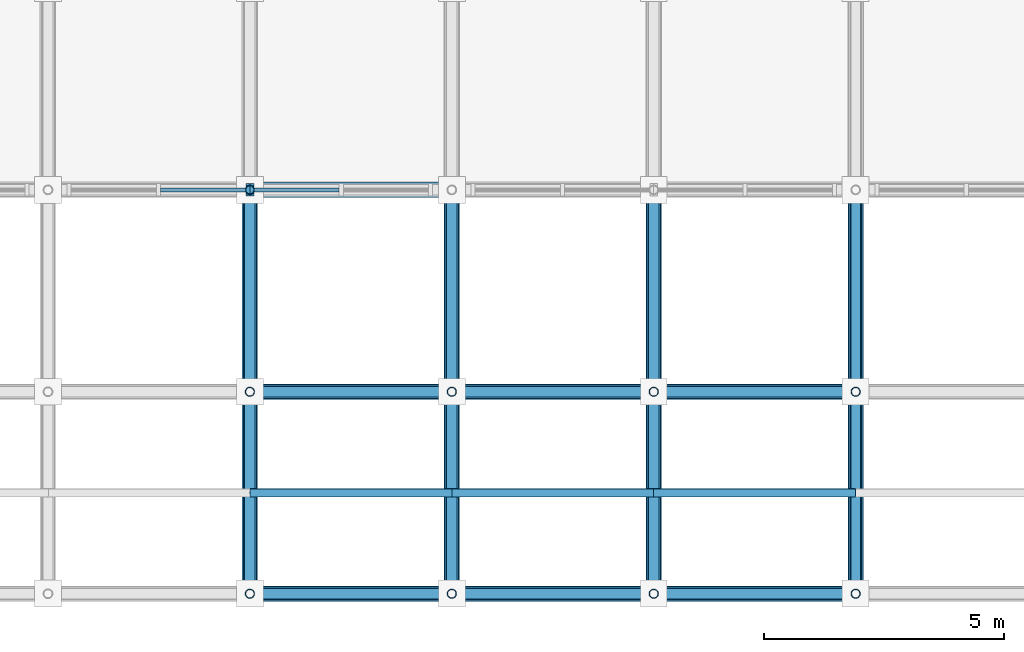
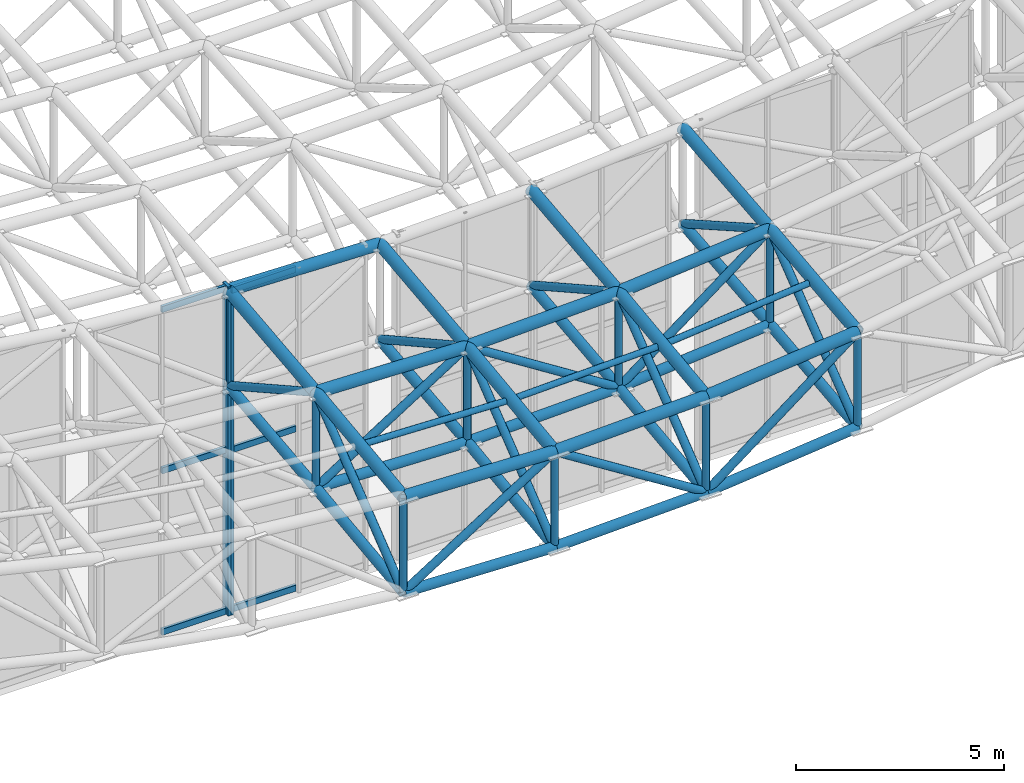
# One storey, part 13 of 93: 63 members, 2 elements without a shape of their own.
"""IFC4 building model written with IfcOpenShell, lengths in metres."""

from ifc_helpers import new_model, si_unit, direction, frame, origin, origin_2d, place, context, subcontext, project, spatial, rectangle, hollow_circle, extrude, material, material_profile, profile_set, type_object, element, aggregate, save


model = new_model("IFC4")

# Units and contexts
model_context = context("Model", 3, precision=1e-05, world=origin(), true_north=direction((0.0, 1.0)))
body_context = subcontext(model_context, "Body", "Model", "MODEL_VIEW")
ifc_project = project(units=[si_unit("LENGTHUNIT", "METRE"), si_unit("AREAUNIT", "SQUARE_METRE"), si_unit("VOLUMEUNIT", "CUBIC_METRE"), si_unit("PLANEANGLEUNIT", "RADIAN"), si_unit("MASSUNIT", "GRAM", prefix="KILO")], contexts=[model_context])

# Site, building, storey
site_placement = place(None, origin())
site = spatial("IfcSite", under=ifc_project, at=site_placement, CompositionType="ELEMENT")
building_placement = place(site_placement, origin())
building = spatial("IfcBuilding", under=site, at=building_placement, Name="Cumbredor Promenade Congress Hotel", CompositionType="ELEMENT")
storey_placement = place(building_placement, frame((0.0, 0.0, 21.840087890625)))
storey = spatial("IfcBuildingStorey", under=building, at=storey_placement, Name="L06", CompositionType="ELEMENT", Elevation=21.840087890625)

# Curtain wall, member
ifc_material_1 = material(Name="Thermally broken anodized aluminium and low-E glass", Category="aluminium")
curtain_wall_type = type_object("IfcCurtainWallType", Name="Stepped Pavilion Clerestory Curtain Wall CW-06", PredefinedType="NOTDEFINED", material=ifc_material_1)
curtain_wall_1_placement = place(storey_placement, origin())
curtain_wall_1 = element("IfcCurtainWall", 1, at=curtain_wall_1_placement, inside=storey, type_object=curtain_wall_type, Name="Plenary Congress Hall S Glazed Clerestory 5", PredefinedType="NOTDEFINED")
ifc_material_2 = material(Name="Thermally broken anodized aluminium", Category="aluminium")
ifc_material_profile_1 = material_profile(ifc_material_2, rectangle(XDim=0.0849609375, YDim=0.260009765625, at=origin_2d()), Name="ALU MULLION CLERESTORY 85x260")
ifc_profile_set_1 = profile_set([ifc_material_profile_1], Name="Thermally broken anodized aluminium")
member_type_1 = type_object("IfcMemberType", Name="Curtain Wall Mullion ML-04", PredefinedType="MULLION", material=ifc_profile_set_1)
member_1_placement = place(storey_placement, frame((29.360107421875, 8.39990234375, -0.01806640625), z_axis=(0.0, 0.0, 1.0), x_axis=(1.0, 0.0, 0.0)))
member_1 = element("IfcMember", 2, at=member_1_placement, type_object=member_type_1, Name="Plenary Congress Hall S Glazed Clerestory 5 Mullion 3", PredefinedType="MULLION", context=body_context, shape_type="SweptSolid", body=[
    extrude(rectangle(XDim=0.0849609375, YDim=0.260009765625, at=origin_2d()), origin(), (0.0, 0.0, 1.0), 9.652099609375),
])

curtain_wall_2_placement = place(storey_placement, origin())
curtain_wall_2 = element("IfcCurtainWall", 3, at=curtain_wall_2_placement, inside=storey, type_object=curtain_wall_type, Name="Plenary Congress Hall S Glazed Clerestory 6", PredefinedType="NOTDEFINED")
member_2_placement = place(storey_placement, frame((29.43994140625, 8.39990234375, -0.01806640625), z_axis=(0.0, 0.0, 1.0), x_axis=(1.0, 0.0, 0.0)))
member_2 = element("IfcMember", 4, at=member_2_placement, type_object=member_type_1, Name="Plenary Congress Hall S Glazed Clerestory 6 Mullion 1", PredefinedType="MULLION", context=body_context, shape_type="SweptSolid", body=[
    extrude(rectangle(XDim=0.0849609375, YDim=0.260009765625, at=origin_2d()), origin(), (0.0, 0.0, 1.0), 9.540771484375),
])

# Member
ifc_material_profile_2 = material_profile(ifc_material_2, rectangle(XDim=0.080078125, YDim=0.179931640625, at=origin_2d()), Name="ALU TRANSOM 80x180")
ifc_profile_set_2 = profile_set([ifc_material_profile_2], Name="Thermally broken anodized aluminium")
member_type_2 = type_object("IfcMemberType", Name="Curtain Wall Transom TR-03", PredefinedType="USERDEFINED", material=ifc_profile_set_2)
member_3_placement = place(storey_placement, frame((27.54248046875, 8.39990234375, 0.079833984375), z_axis=(1.0, 0.0, 0.0), x_axis=(0.0, 1.0, 0.0)))
member_3 = element("IfcMember", 5, at=member_3_placement, type_object=member_type_2, Name="Plenary Congress Hall S Glazed Clerestory 5 Transom 2.1", ObjectType="TRANSOM", PredefinedType="USERDEFINED", context=body_context, shape_type="SweptSolid", body=[
    extrude(rectangle(XDim=0.080078125, YDim=0.179931640625, at=origin_2d()), origin(), (0.0, 0.0, 1.0), 1.77490234375),
])

member_4_placement = place(storey_placement, frame((27.54248046875, 8.39990234375, 4.809814453125), z_axis=(1.0, 0.0, 0.0), x_axis=(0.0, 1.0, 0.0)))
member_4 = element("IfcMember", 6, at=member_4_placement, type_object=member_type_2, Name="Plenary Congress Hall S Glazed Clerestory 5 Transom 2.2", ObjectType="TRANSOM", PredefinedType="USERDEFINED", context=body_context, shape_type="SweptSolid", body=[
    extrude(rectangle(XDim=0.080078125, YDim=0.179931640625, at=origin_2d()), origin(), (0.0, 0.0, 1.0), 1.77490234375),
])

member_5_placement = place(storey_placement, frame((27.54248046875, 8.39990234375, 9.539794921875), z_axis=(1.0, 0.0, 0.0), x_axis=(0.0, 1.0, 0.0)))
member_5 = element("IfcMember", 7, at=member_5_placement, type_object=member_type_2, Name="Plenary Congress Hall S Glazed Clerestory 5 Transom 2.3", ObjectType="TRANSOM", PredefinedType="USERDEFINED", context=body_context, shape_type="SweptSolid", body=[
    extrude(rectangle(XDim=0.080078125, YDim=0.179931640625, at=origin_2d()), origin(), (0.0, 0.0, 1.0), 1.77490234375),
])

aggregate(curtain_wall_1, [member_1, member_3, member_4, member_5])

member_6_placement = place(storey_placement, frame((29.482421875, 8.39990234375, 0.079833984375), z_axis=(1.0, 0.0, 0.0), x_axis=(0.0, 1.0, 0.0)))
member_6 = element("IfcMember", 8, at=member_6_placement, type_object=member_type_2, Name="Plenary Congress Hall S Glazed Clerestory 6 Transom 1.1", ObjectType="TRANSOM", PredefinedType="USERDEFINED", context=body_context, shape_type="SweptSolid", body=[
    extrude(rectangle(XDim=0.080078125, YDim=0.179931640625, at=origin_2d()), origin(), (0.0, 0.0, 1.0), 1.775146484375),
])

member_7_placement = place(storey_placement, frame((29.482421875, 8.39990234375, 4.75), z_axis=(1.0, 0.0, 0.0), x_axis=(0.0, 1.0, 0.0)))
member_7 = element("IfcMember", 9, at=member_7_placement, type_object=member_type_2, Name="Plenary Congress Hall S Glazed Clerestory 6 Transom 1.2", ObjectType="TRANSOM", PredefinedType="USERDEFINED", context=body_context, shape_type="SweptSolid", body=[
    extrude(rectangle(XDim=0.080078125, YDim=0.179931640625, at=origin_2d()), origin(), (0.0, 0.0, 1.0), 1.775146484375),
])

member_8_placement = place(storey_placement, frame((29.482421875, 8.39990234375, 9.419921875), z_axis=(1.0, 0.0, 0.0), x_axis=(0.0, 1.0, 0.0)))
member_8 = element("IfcMember", 10, at=member_8_placement, type_object=member_type_2, Name="Plenary Congress Hall S Glazed Clerestory 6 Transom 1.3", ObjectType="TRANSOM", PredefinedType="USERDEFINED", context=body_context, shape_type="SweptSolid", body=[
    extrude(rectangle(XDim=0.080078125, YDim=0.179931640625, at=origin_2d()), origin(), (0.0, 0.0, 1.0), 1.775146484375),
])

aggregate(curtain_wall_2, [member_2, member_6, member_7, member_8])

# Members
ifc_material_3 = material(Name="Steel ASTM A500 Grade C", Category="steel")
ifc_material_profile_3 = material_profile(ifc_material_3, hollow_circle(Radius=0.136474609375, WallThickness=0.01611328125, at=origin_2d()), Name="CHS 273.0x16")
ifc_profile_set_3 = profile_set([ifc_material_profile_3], Name="Steel ASTM A500 Grade C")
member_type_3 = type_object("IfcMemberType", Name="Plenary Roof Space Frame Bottom Chord", PredefinedType="CHORD", material=ifc_profile_set_3)
member_9_placement = place(storey_placement, frame((29.39990234375, 0.0, 5.679931640625), z_axis=(0.999428278482, 0.0, -0.033810001051), x_axis=(0.0, 1.0, 0.0)))
element("IfcMember", 11, at=member_9_placement, inside=storey, type_object=member_type_3, Name="Plenary Congress Hall X Bottom Chord 9.1", PredefinedType="CHORD", context=body_context, shape_type="SweptSolid", body=[
    extrude(hollow_circle(Radius=0.136474609375, WallThickness=0.01611328125, at=origin_2d()), origin(), (0.0, 0.0, 1.0), 4.20263671875),
])
member_10_placement = place(storey_placement, frame((33.60009765625, 0.0, 5.537841796875), z_axis=(0.999428212069, 0.0, 0.033811964159), x_axis=(0.0, 1.0, 0.0)))
element("IfcMember", 12, at=member_10_placement, inside=storey, type_object=member_type_3, Name="Plenary Congress Hall X Bottom Chord 10.1", PredefinedType="CHORD", context=body_context, shape_type="SweptSolid", body=[
    extrude(hollow_circle(Radius=0.136474609375, WallThickness=0.01611328125, at=origin_2d()), origin(), (0.0, 0.0, 1.0), 4.202392578125),
])
member_11_placement = place(storey_placement, frame((37.800048828125, 0.0, 5.679931640625), z_axis=(0.994854027888, 0.0, 0.101318622151), x_axis=(0.0, 1.0, 0.0)))
element("IfcMember", 13, at=member_11_placement, inside=storey, type_object=member_type_3, Name="Plenary Congress Hall X Bottom Chord 11.1", PredefinedType="CHORD", context=body_context, shape_type="SweptSolid", body=[
    extrude(hollow_circle(Radius=0.136474609375, WallThickness=0.01611328125, at=origin_2d()), origin(), (0.0, 0.0, 1.0), 4.2216796875),
])
member_12_placement = place(storey_placement, frame((29.39990234375, 4.199951171875, 6.19482421875), z_axis=(0.99955398779, 0.0, -0.029863447438), x_axis=(0.0, 1.0, 0.0)))
element("IfcMember", 14, at=member_12_placement, inside=storey, type_object=member_type_3, Name="Plenary Congress Hall X Bottom Chord 9.2", PredefinedType="CHORD", context=body_context, shape_type="SweptSolid", body=[
    extrude(hollow_circle(Radius=0.136474609375, WallThickness=0.01611328125, at=origin_2d()), origin(), (0.0, 0.0, 1.0), 4.2021484375),
])
member_13_placement = place(storey_placement, frame((33.60009765625, 4.199951171875, 6.0693359375), z_axis=(0.99955393597, 0.0, 0.029865181834), x_axis=(0.0, 1.0, 0.0)))
element("IfcMember", 15, at=member_13_placement, inside=storey, type_object=member_type_3, Name="Plenary Congress Hall X Bottom Chord 10.2", PredefinedType="CHORD", context=body_context, shape_type="SweptSolid", body=[
    extrude(hollow_circle(Radius=0.136474609375, WallThickness=0.01611328125, at=origin_2d()), origin(), (0.0, 0.0, 1.0), 4.201904296875),
])
member_14_placement = place(storey_placement, frame((37.800048828125, 4.199951171875, 6.19482421875), z_axis=(0.995981000489, 0.0, 0.089564762411), x_axis=(0.0, 1.0, 0.0)))
element("IfcMember", 16, at=member_14_placement, inside=storey, type_object=member_type_3, Name="Plenary Congress Hall X Bottom Chord 11.2", PredefinedType="CHORD", context=body_context, shape_type="SweptSolid", body=[
    extrude(hollow_circle(Radius=0.136474609375, WallThickness=0.01611328125, at=origin_2d()), origin(), (0.0, 0.0, 1.0), 4.216796875),
])
member_15_placement = place(storey_placement, frame((29.39990234375, 0.0, 5.679931640625), z_axis=(0.0, 0.992568905848, 0.121683882022), x_axis=(-1.0, 0.0, 0.0)))
element("IfcMember", 17, at=member_15_placement, inside=storey, type_object=member_type_3, Name="Plenary Congress Hall Y Bottom Chord 9.1", PredefinedType="CHORD", context=body_context, shape_type="SweptSolid", body=[
    extrude(hollow_circle(Radius=0.136474609375, WallThickness=0.01611328125, at=origin_2d()), origin(), (0.0, 0.0, 1.0), 4.2314453125),
])
member_16_placement = place(storey_placement, frame((29.39990234375, 4.199951171875, 6.19482421875), z_axis=(0.0, 0.994279597803, 0.1068086204), x_axis=(-1.0, 0.0, 0.0)))
element("IfcMember", 18, at=member_16_placement, inside=storey, type_object=member_type_3, Name="Plenary Congress Hall Y Bottom Chord 9.2", PredefinedType="CHORD", context=body_context, shape_type="SweptSolid", body=[
    extrude(hollow_circle(Radius=0.136474609375, WallThickness=0.01611328125, at=origin_2d()), origin(), (0.0, 0.0, 1.0), 4.22412109375),
])
member_17_placement = place(storey_placement, frame((33.60009765625, 0.0, 5.537841796875), z_axis=(0.0, 0.992087746619, 0.125546417741), x_axis=(-1.0, 0.0, 0.0)))
element("IfcMember", 19, at=member_17_placement, inside=storey, type_object=member_type_3, Name="Plenary Congress Hall Y Bottom Chord 10.1", PredefinedType="CHORD", context=body_context, shape_type="SweptSolid", body=[
    extrude(hollow_circle(Radius=0.136474609375, WallThickness=0.01611328125, at=origin_2d()), origin(), (0.0, 0.0, 1.0), 4.2333984375),
])
member_18_placement = place(storey_placement, frame((33.60009765625, 4.199951171875, 6.0693359375), z_axis=(0.0, 0.993911885476, 0.110177873952), x_axis=(-1.0, 0.0, 0.0)))
element("IfcMember", 20, at=member_18_placement, inside=storey, type_object=member_type_3, Name="Plenary Congress Hall Y Bottom Chord 10.2", PredefinedType="CHORD", context=body_context, shape_type="SweptSolid", body=[
    extrude(hollow_circle(Radius=0.136474609375, WallThickness=0.01611328125, at=origin_2d()), origin(), (0.0, 0.0, 1.0), 4.2255859375),
])
member_19_placement = place(storey_placement, frame((37.800048828125, 0.0, 5.679931640625), z_axis=(0.0, 0.992568905848, 0.121683882022), x_axis=(-1.0, 0.0, 0.0)))
element("IfcMember", 21, at=member_19_placement, inside=storey, type_object=member_type_3, Name="Plenary Congress Hall Y Bottom Chord 11.1", PredefinedType="CHORD", context=body_context, shape_type="SweptSolid", body=[
    extrude(hollow_circle(Radius=0.136474609375, WallThickness=0.01611328125, at=origin_2d()), origin(), (0.0, 0.0, 1.0), 4.2314453125),
])
member_20_placement = place(storey_placement, frame((37.800048828125, 4.199951171875, 6.19482421875), z_axis=(0.0, 0.994279597803, 0.1068086204), x_axis=(-1.0, 0.0, 0.0)))
element("IfcMember", 22, at=member_20_placement, inside=storey, type_object=member_type_3, Name="Plenary Congress Hall Y Bottom Chord 11.2", PredefinedType="CHORD", context=body_context, shape_type="SweptSolid", body=[
    extrude(hollow_circle(Radius=0.136474609375, WallThickness=0.01611328125, at=origin_2d()), origin(), (0.0, 0.0, 1.0), 4.22412109375),
])
member_21_placement = place(storey_placement, frame((42.0, 0.0, 6.107666015625), z_axis=(0.0, 0.993930851571, 0.110006646596), x_axis=(-1.0, 0.0, 0.0)))
element("IfcMember", 23, at=member_21_placement, inside=storey, type_object=member_type_3, Name="Plenary Congress Hall Y Bottom Chord 12.1", PredefinedType="CHORD", context=body_context, shape_type="SweptSolid", body=[
    extrude(hollow_circle(Radius=0.136474609375, WallThickness=0.01611328125, at=origin_2d()), origin(), (0.0, 0.0, 1.0), 4.2255859375),
])
member_22_placement = place(storey_placement, frame((42.0, 4.199951171875, 6.572509765625), z_axis=(0.0, 0.995321159621, 0.096621887843), x_axis=(-1.0, 0.0, 0.0)))
element("IfcMember", 24, at=member_22_placement, inside=storey, type_object=member_type_3, Name="Plenary Congress Hall Y Bottom Chord 12.2", PredefinedType="CHORD", context=body_context, shape_type="SweptSolid", body=[
    extrude(hollow_circle(Radius=0.136474609375, WallThickness=0.01611328125, at=origin_2d()), origin(), (0.0, 0.0, 1.0), 4.2197265625),
])
ifc_material_profile_4 = material_profile(ifc_material_3, hollow_circle(Radius=0.161865234375, WallThickness=0.01611328125, at=origin_2d()), Name="CHS 323.9x16")
ifc_profile_set_4 = profile_set([ifc_material_profile_4], Name="Steel ASTM A500 Grade C")
member_type_4 = type_object("IfcMemberType", Name="Plenary Roof Space Frame Top Chord", PredefinedType="CHORD", material=ifc_profile_set_4)
member_23_placement = place(storey_placement, frame((29.39990234375, 0.0, 8.47998046875), z_axis=(0.999428278482, 0.0, -0.033810001051), x_axis=(0.0, 1.0, 0.0)))
element("IfcMember", 25, at=member_23_placement, inside=storey, type_object=member_type_4, Name="Plenary Congress Hall X Top Chord 9.1", PredefinedType="CHORD", context=body_context, shape_type="SweptSolid", body=[
    extrude(hollow_circle(Radius=0.161865234375, WallThickness=0.01611328125, at=origin_2d()), origin(), (0.0, 0.0, 1.0), 4.20263671875),
])
member_24_placement = place(storey_placement, frame((33.60009765625, 0.0, 8.337890625), z_axis=(0.999428212069, 0.0, 0.033811964159), x_axis=(0.0, 1.0, 0.0)))
element("IfcMember", 26, at=member_24_placement, inside=storey, type_object=member_type_4, Name="Plenary Congress Hall X Top Chord 10.1", PredefinedType="CHORD", context=body_context, shape_type="SweptSolid", body=[
    extrude(hollow_circle(Radius=0.161865234375, WallThickness=0.01611328125, at=origin_2d()), origin(), (0.0, 0.0, 1.0), 4.202392578125),
])
member_25_placement = place(storey_placement, frame((37.800048828125, 0.0, 8.47998046875), z_axis=(0.994854027888, 0.0, 0.101318622151), x_axis=(0.0, 1.0, 0.0)))
element("IfcMember", 27, at=member_25_placement, inside=storey, type_object=member_type_4, Name="Plenary Congress Hall X Top Chord 11.1", PredefinedType="CHORD", context=body_context, shape_type="SweptSolid", body=[
    extrude(hollow_circle(Radius=0.161865234375, WallThickness=0.01611328125, at=origin_2d()), origin(), (0.0, 0.0, 1.0), 4.2216796875),
])
member_26_placement = place(storey_placement, frame((29.39990234375, 4.199951171875, 8.99462890625), z_axis=(0.999555720403, 0.0, -0.02980539901), x_axis=(0.0, 1.0, 0.0)))
element("IfcMember", 28, at=member_26_placement, inside=storey, type_object=member_type_4, Name="Plenary Congress Hall X Top Chord 9.2", PredefinedType="CHORD", context=body_context, shape_type="SweptSolid", body=[
    extrude(hollow_circle(Radius=0.161865234375, WallThickness=0.01611328125, at=origin_2d()), origin(), (0.0, 0.0, 1.0), 4.2021484375),
])
member_27_placement = place(storey_placement, frame((33.60009765625, 4.199951171875, 8.869384765625), z_axis=(0.999555668784, 0.0, 0.02980713004), x_axis=(0.0, 1.0, 0.0)))
element("IfcMember", 29, at=member_27_placement, inside=storey, type_object=member_type_4, Name="Plenary Congress Hall X Top Chord 10.2", PredefinedType="CHORD", context=body_context, shape_type="SweptSolid", body=[
    extrude(hollow_circle(Radius=0.161865234375, WallThickness=0.01611328125, at=origin_2d()), origin(), (0.0, 0.0, 1.0), 4.201904296875),
])
member_28_placement = place(storey_placement, frame((37.800048828125, 4.199951171875, 8.99462890625), z_axis=(0.995975834279, 0.0, 0.089622193307), x_axis=(0.0, 1.0, 0.0)))
element("IfcMember", 30, at=member_28_placement, inside=storey, type_object=member_type_4, Name="Plenary Congress Hall X Top Chord 11.2", PredefinedType="CHORD", context=body_context, shape_type="SweptSolid", body=[
    extrude(hollow_circle(Radius=0.161865234375, WallThickness=0.01611328125, at=origin_2d()), origin(), (0.0, 0.0, 1.0), 4.217041015625),
])
member_29_placement = place(storey_placement, frame((29.39990234375, 8.39990234375, 9.446044921875), z_axis=(0.999648915171, 0.0, -0.026496158179), x_axis=(0.0, 1.0, 0.0)))
element("IfcMember", 31, at=member_29_placement, inside=storey, type_object=member_type_4, Name="Plenary Congress Hall X Top Chord 9.3", PredefinedType="CHORD", context=body_context, shape_type="SweptSolid", body=[
    extrude(hollow_circle(Radius=0.161865234375, WallThickness=0.01611328125, at=origin_2d()), origin(), (0.0, 0.0, 1.0), 4.20166015625),
])
member_30_placement = place(storey_placement, frame((29.39990234375, 0.0, 8.47998046875), z_axis=(0.0, 0.992575872944, 0.121627038317), x_axis=(-1.0, 0.0, 0.0)))
element("IfcMember", 32, at=member_30_placement, inside=storey, type_object=member_type_4, Name="Plenary Congress Hall Y Top Chord 9.1", PredefinedType="CHORD", context=body_context, shape_type="SweptSolid", body=[
    extrude(hollow_circle(Radius=0.161865234375, WallThickness=0.01611328125, at=origin_2d()), origin(), (0.0, 0.0, 1.0), 4.2314453125),
])
member_31_placement = place(storey_placement, frame((29.39990234375, 4.199951171875, 8.99462890625), z_axis=(0.0, 0.994273458309, 0.106865757392), x_axis=(-1.0, 0.0, 0.0)))
element("IfcMember", 33, at=member_31_placement, inside=storey, type_object=member_type_4, Name="Plenary Congress Hall Y Top Chord 9.2", PredefinedType="CHORD", context=body_context, shape_type="SweptSolid", body=[
    extrude(hollow_circle(Radius=0.161865234375, WallThickness=0.01611328125, at=origin_2d()), origin(), (0.0, 0.0, 1.0), 4.22412109375),
])
member_32_placement = place(storey_placement, frame((33.60009765625, 0.0, 8.337890625), z_axis=(0.0, 0.992087746619, 0.125546417741), x_axis=(-1.0, 0.0, 0.0)))
element("IfcMember", 34, at=member_32_placement, inside=storey, type_object=member_type_4, Name="Plenary Congress Hall Y Top Chord 10.1", PredefinedType="CHORD", context=body_context, shape_type="SweptSolid", body=[
    extrude(hollow_circle(Radius=0.161865234375, WallThickness=0.01611328125, at=origin_2d()), origin(), (0.0, 0.0, 1.0), 4.2333984375),
])
member_33_placement = place(storey_placement, frame((33.60009765625, 4.199951171875, 8.869384765625), z_axis=(0.0, 0.993918210705, 0.110120799256), x_axis=(-1.0, 0.0, 0.0)))
element("IfcMember", 35, at=member_33_placement, inside=storey, type_object=member_type_4, Name="Plenary Congress Hall Y Top Chord 10.2", PredefinedType="CHORD", context=body_context, shape_type="SweptSolid", body=[
    extrude(hollow_circle(Radius=0.161865234375, WallThickness=0.01611328125, at=origin_2d()), origin(), (0.0, 0.0, 1.0), 4.2255859375),
])
member_34_placement = place(storey_placement, frame((37.800048828125, 0.0, 8.47998046875), z_axis=(0.0, 0.992575872944, 0.121627038317), x_axis=(-1.0, 0.0, 0.0)))
element("IfcMember", 36, at=member_34_placement, inside=storey, type_object=member_type_4, Name="Plenary Congress Hall Y Top Chord 11.1", PredefinedType="CHORD", context=body_context, shape_type="SweptSolid", body=[
    extrude(hollow_circle(Radius=0.161865234375, WallThickness=0.01611328125, at=origin_2d()), origin(), (0.0, 0.0, 1.0), 4.2314453125),
])
member_35_placement = place(storey_placement, frame((37.800048828125, 4.199951171875, 8.99462890625), z_axis=(0.0, 0.994273458309, 0.106865757392), x_axis=(-1.0, 0.0, 0.0)))
element("IfcMember", 37, at=member_35_placement, inside=storey, type_object=member_type_4, Name="Plenary Congress Hall Y Top Chord 11.2", PredefinedType="CHORD", context=body_context, shape_type="SweptSolid", body=[
    extrude(hollow_circle(Radius=0.161865234375, WallThickness=0.01611328125, at=origin_2d()), origin(), (0.0, 0.0, 1.0), 4.22412109375),
])
member_36_placement = place(storey_placement, frame((42.0, 0.0, 8.90771484375), z_axis=(0.0, 0.993930851571, 0.110006646596), x_axis=(-1.0, 0.0, 0.0)))
element("IfcMember", 38, at=member_36_placement, inside=storey, type_object=member_type_4, Name="Plenary Congress Hall Y Top Chord 12.1", PredefinedType="CHORD", context=body_context, shape_type="SweptSolid", body=[
    extrude(hollow_circle(Radius=0.161865234375, WallThickness=0.01611328125, at=origin_2d()), origin(), (0.0, 0.0, 1.0), 4.2255859375),
])
member_37_placement = place(storey_placement, frame((42.0, 4.199951171875, 9.37255859375), z_axis=(0.0, 0.995321159621, 0.096621887843), x_axis=(-1.0, 0.0, 0.0)))
element("IfcMember", 39, at=member_37_placement, inside=storey, type_object=member_type_4, Name="Plenary Congress Hall Y Top Chord 12.2", PredefinedType="CHORD", context=body_context, shape_type="SweptSolid", body=[
    extrude(hollow_circle(Radius=0.161865234375, WallThickness=0.01611328125, at=origin_2d()), origin(), (0.0, 0.0, 1.0), 4.2197265625),
])
ifc_material_profile_5 = material_profile(ifc_material_3, hollow_circle(Radius=0.084228515625, WallThickness=0.010009765625, at=origin_2d()), Name="CHS 168.3x10")
ifc_profile_set_5 = profile_set([ifc_material_profile_5], Name="Steel ASTM A500 Grade C")
member_type_5 = type_object("IfcMemberType", Name="Roof Purlin CHS168", PredefinedType="PURLIN", material=ifc_profile_set_5)
member_38_placement = place(storey_placement, frame((29.39990234375, 2.10009765625, 8.71728515625), z_axis=(0.999493077083, 0.0, -0.031836910384), x_axis=(0.0, 1.0, 0.0)))
element("IfcMember", 40, at=member_38_placement, inside=storey, type_object=member_type_5, Name="Plenary Congress Hall Roof Eave Purlin 9.1", PredefinedType="PURLIN", context=body_context, shape_type="SweptSolid", body=[
    extrude(hollow_circle(Radius=0.084228515625, WallThickness=0.010009765625, at=origin_2d()), origin(), (0.0, 0.0, 1.0), 4.202392578125),
])
member_39_placement = place(storey_placement, frame((33.60009765625, 2.10009765625, 8.58349609375), z_axis=(0.999493018192, 0.0, 0.031838759168), x_axis=(0.0, 1.0, 0.0)))
element("IfcMember", 41, at=member_39_placement, inside=storey, type_object=member_type_5, Name="Plenary Congress Hall Roof Eave Purlin 10.1", PredefinedType="PURLIN", context=body_context, shape_type="SweptSolid", body=[
    extrude(hollow_circle(Radius=0.084228515625, WallThickness=0.010009765625, at=origin_2d()), origin(), (0.0, 0.0, 1.0), 4.2021484375),
])
member_40_placement = place(storey_placement, frame((37.800048828125, 2.10009765625, 8.71728515625), z_axis=(0.995431794438, 0.0, 0.095475350859), x_axis=(0.0, 1.0, 0.0)))
element("IfcMember", 42, at=member_40_placement, inside=storey, type_object=member_type_5, Name="Plenary Congress Hall Roof Eave Purlin 11.1", PredefinedType="PURLIN", context=body_context, shape_type="SweptSolid", body=[
    extrude(hollow_circle(Radius=0.084228515625, WallThickness=0.010009765625, at=origin_2d()), origin(), (0.0, 0.0, 1.0), 4.21923828125),
])
ifc_material_profile_6 = material_profile(ifc_material_3, hollow_circle(Radius=0.109619140625, WallThickness=0.012451171875, at=origin_2d()), Name="CHS 219.1x12.5")
ifc_profile_set_6 = profile_set([ifc_material_profile_6], Name="Steel ASTM A500 Grade C")
member_type_6 = type_object("IfcMemberType", Name="Space Frame Web Diagonal D1", PredefinedType="BRACE", material=ifc_profile_set_6)
for number, where, z_axis, x_axis, name in (
    (43, (29.39990234375, 0.0, 5.679931640625), (0.845015877514, 0.0, 0.534741214747), (0.0, 1.0, 0.0), "Plenary Congress Hall X Web Diagonal 9.1"),
    (44, (33.60009765625, 0.0, 8.337890625), (0.845001831607, 0.0, -0.534763409912), (0.0, 1.0, 0.0), "Plenary Congress Hall X Web Diagonal 10.1"),
):
    element("IfcMember", number, at=place(storey_placement, frame(where, z_axis=z_axis, x_axis=x_axis)), inside=storey, type_object=member_type_6, Name=name, PredefinedType="BRACE", context=body_context, shape_type="SweptSolid", body=[
        extrude(hollow_circle(Radius=0.109619140625, WallThickness=0.012451171875, at=origin_2d()), origin(), (0.0, 0.0, 1.0), 4.970458984375),
    ])
member_41_placement = place(storey_placement, frame((37.800048828125, 0.0, 5.679931640625), z_axis=(0.79289291533, 0.0, 0.609360997127), x_axis=(0.0, 1.0, 0.0)))
element("IfcMember", 45, at=member_41_placement, inside=storey, type_object=member_type_6, Name="Plenary Congress Hall X Web Diagonal 11.1", PredefinedType="BRACE", context=body_context, shape_type="SweptSolid", body=[
    extrude(hollow_circle(Radius=0.109619140625, WallThickness=0.012451171875, at=origin_2d()), origin(), (0.0, 0.0, 1.0), 5.296875),
])
member_42_placement = place(storey_placement, frame((29.39990234375, 4.199951171875, 6.19482421875), z_axis=(0.843505999553, 0.0, 0.53711975268), x_axis=(0.0, 1.0, 0.0)))
element("IfcMember", 46, at=member_42_placement, inside=storey, type_object=member_type_6, Name="Plenary Congress Hall X Web Diagonal 9.2", PredefinedType="BRACE", context=body_context, shape_type="SweptSolid", body=[
    extrude(hollow_circle(Radius=0.109619140625, WallThickness=0.012451171875, at=origin_2d()), origin(), (0.0, 0.0, 1.0), 4.9794921875),
])
member_43_placement = place(storey_placement, frame((33.60009765625, 4.199951171875, 8.869384765625), z_axis=(0.843491853739, 0.0, -0.537141966966), x_axis=(0.0, 1.0, 0.0)))
element("IfcMember", 47, at=member_43_placement, inside=storey, type_object=member_type_6, Name="Plenary Congress Hall X Web Diagonal 10.2", PredefinedType="BRACE", context=body_context, shape_type="SweptSolid", body=[
    extrude(hollow_circle(Radius=0.109619140625, WallThickness=0.012451171875, at=origin_2d()), origin(), (0.0, 0.0, 1.0), 4.979248046875),
])
member_44_placement = place(storey_placement, frame((37.800048828125, 4.199951171875, 6.19482421875), z_axis=(0.79746184577, 0.0, 0.603369376536), x_axis=(0.0, 1.0, 0.0)))
element("IfcMember", 48, at=member_44_placement, inside=storey, type_object=member_type_6, Name="Plenary Congress Hall X Web Diagonal 11.2", PredefinedType="BRACE", context=body_context, shape_type="SweptSolid", body=[
    extrude(hollow_circle(Radius=0.109619140625, WallThickness=0.012451171875, at=origin_2d()), origin(), (0.0, 0.0, 1.0), 5.2666015625),
])
member_45_placement = place(storey_placement, frame((29.39990234375, 0.0, 5.679931640625), z_axis=(0.0, 0.784978533126, 0.619522963684), x_axis=(-1.0, 0.0, 0.0)))
element("IfcMember", 49, at=member_45_placement, inside=storey, type_object=member_type_6, Name="Plenary Congress Hall Y Web Diagonal 9.1", PredefinedType="BRACE", context=body_context, shape_type="SweptSolid", body=[
    extrude(hollow_circle(Radius=0.109619140625, WallThickness=0.012451171875, at=origin_2d()), origin(), (0.0, 0.0, 1.0), 5.350341796875),
])
member_46_placement = place(storey_placement, frame((29.39990234375, 4.199951171875, 8.99462890625), z_axis=(0.0, 0.872801740593, -0.48807491394), x_axis=(-1.0, 0.0, 0.0)))
element("IfcMember", 50, at=member_46_placement, inside=storey, type_object=member_type_6, Name="Plenary Congress Hall Y Web Diagonal 9.2", PredefinedType="BRACE", context=body_context, shape_type="SweptSolid", body=[
    extrude(hollow_circle(Radius=0.109619140625, WallThickness=0.012451171875, at=origin_2d()), origin(), (0.0, 0.0, 1.0), 4.81201171875),
])
member_47_placement = place(storey_placement, frame((33.60009765625, 0.0, 5.537841796875), z_axis=(0.0, 0.783447979993, 0.621457369934), x_axis=(-1.0, 0.0, 0.0)))
element("IfcMember", 51, at=member_47_placement, inside=storey, type_object=member_type_6, Name="Plenary Congress Hall Y Web Diagonal 10.1", PredefinedType="BRACE", context=body_context, shape_type="SweptSolid", body=[
    extrude(hollow_circle(Radius=0.109619140625, WallThickness=0.012451171875, at=origin_2d()), origin(), (0.0, 0.0, 1.0), 5.36083984375),
])
member_48_placement = place(storey_placement, frame((33.60009765625, 4.199951171875, 8.869384765625), z_axis=(0.0, 0.874054201985, -0.485828418263), x_axis=(-1.0, 0.0, 0.0)))
element("IfcMember", 52, at=member_48_placement, inside=storey, type_object=member_type_6, Name="Plenary Congress Hall Y Web Diagonal 10.2", PredefinedType="BRACE", context=body_context, shape_type="SweptSolid", body=[
    extrude(hollow_circle(Radius=0.109619140625, WallThickness=0.012451171875, at=origin_2d()), origin(), (0.0, 0.0, 1.0), 4.80517578125),
])
member_49_placement = place(storey_placement, frame((37.800048828125, 0.0, 5.679931640625), z_axis=(0.0, 0.784978533126, 0.619522963684), x_axis=(-1.0, 0.0, 0.0)))
element("IfcMember", 53, at=member_49_placement, inside=storey, type_object=member_type_6, Name="Plenary Congress Hall Y Web Diagonal 11.1", PredefinedType="BRACE", context=body_context, shape_type="SweptSolid", body=[
    extrude(hollow_circle(Radius=0.109619140625, WallThickness=0.012451171875, at=origin_2d()), origin(), (0.0, 0.0, 1.0), 5.350341796875),
])
member_50_placement = place(storey_placement, frame((37.800048828125, 4.199951171875, 8.99462890625), z_axis=(0.0, 0.872801740593, -0.48807491394), x_axis=(-1.0, 0.0, 0.0)))
element("IfcMember", 54, at=member_50_placement, inside=storey, type_object=member_type_6, Name="Plenary Congress Hall Y Web Diagonal 11.2", PredefinedType="BRACE", context=body_context, shape_type="SweptSolid", body=[
    extrude(hollow_circle(Radius=0.109619140625, WallThickness=0.012451171875, at=origin_2d()), origin(), (0.0, 0.0, 1.0), 4.81201171875),
])
member_51_placement = place(storey_placement, frame((42.0, 0.0, 6.107666015625), z_axis=(0.0, 0.789510348141, 0.613737248485), x_axis=(-1.0, 0.0, 0.0)))
element("IfcMember", 55, at=member_51_placement, inside=storey, type_object=member_type_6, Name="Plenary Congress Hall Y Web Diagonal 12.1", PredefinedType="BRACE", context=body_context, shape_type="SweptSolid", body=[
    extrude(hollow_circle(Radius=0.109619140625, WallThickness=0.012451171875, at=origin_2d()), origin(), (0.0, 0.0, 1.0), 5.319580078125),
])
member_52_placement = place(storey_placement, frame((42.0, 4.199951171875, 9.37255859375), z_axis=(0.0, 0.868923043905, -0.494947213115), x_axis=(-1.0, 0.0, 0.0)))
element("IfcMember", 56, at=member_52_placement, inside=storey, type_object=member_type_6, Name="Plenary Congress Hall Y Web Diagonal 12.2", PredefinedType="BRACE", context=body_context, shape_type="SweptSolid", body=[
    extrude(hollow_circle(Radius=0.109619140625, WallThickness=0.012451171875, at=origin_2d()), origin(), (0.0, 0.0, 1.0), 4.83349609375),
])
ifc_material_profile_7 = material_profile(ifc_material_3, hollow_circle(Radius=0.096923828125, WallThickness=0.010009765625, at=origin_2d()), Name="CHS 193.7x10")
ifc_profile_set_7 = profile_set([ifc_material_profile_7], Name="Steel ASTM A500 Grade C")
member_type_7 = type_object("IfcMemberType", Name="Space Frame Web Post P1", PredefinedType="BRACE", material=ifc_profile_set_7)
member_53_placement = place(storey_placement, frame((29.39990234375, 0.0, 5.679931640625), z_axis=(0.0, 0.0, 1.0), x_axis=(1.0, 0.0, 0.0)))
element("IfcMember", 57, at=member_53_placement, inside=storey, type_object=member_type_7, Name="Plenary Congress Hall Space Frame Web Post 9.1", PredefinedType="BRACE", context=body_context, shape_type="SweptSolid", body=[
    extrude(hollow_circle(Radius=0.096923828125, WallThickness=0.010009765625, at=origin_2d()), origin(), (0.0, 0.0, 1.0), 2.800048828125),
])
member_54_placement = place(storey_placement, frame((29.39990234375, 4.199951171875, 6.19482421875), z_axis=(0.0, 0.0, 1.0), x_axis=(1.0, 0.0, 0.0)))
element("IfcMember", 58, at=member_54_placement, inside=storey, type_object=member_type_7, Name="Plenary Congress Hall Space Frame Web Post 9.2", PredefinedType="BRACE", context=body_context, shape_type="SweptSolid", body=[
    extrude(hollow_circle(Radius=0.096923828125, WallThickness=0.010009765625, at=origin_2d()), origin(), (0.0, 0.0, 1.0), 2.7998046875),
])
for number, where, z_axis, x_axis, name in (
    (59, (29.39990234375, 8.39990234375, 6.64599609375), (0.0, 0.0, 1.0), (1.0, 0.0, 0.0), "Plenary Congress Hall Space Frame Web Post 9.3"),
    (60, (33.60009765625, 0.0, 5.537841796875), (0.0, 0.0, 1.0), (1.0, 0.0, 0.0), "Plenary Congress Hall Space Frame Web Post 10.1"),
    (61, (33.60009765625, 4.199951171875, 6.0693359375), (0.0, 0.0, 1.0), (1.0, 0.0, 0.0), "Plenary Congress Hall Space Frame Web Post 10.2"),
    (62, (37.800048828125, 0.0, 5.679931640625), (0.0, 0.0, 1.0), (1.0, 0.0, 0.0), "Plenary Congress Hall Space Frame Web Post 11.1"),
):
    element("IfcMember", number, at=place(storey_placement, frame(where, z_axis=z_axis, x_axis=x_axis)), inside=storey, type_object=member_type_7, Name=name, PredefinedType="BRACE", context=body_context, shape_type="SweptSolid", body=[
        extrude(hollow_circle(Radius=0.096923828125, WallThickness=0.010009765625, at=origin_2d()), origin(), (0.0, 0.0, 1.0), 2.800048828125),
    ])
member_55_placement = place(storey_placement, frame((37.800048828125, 4.199951171875, 6.19482421875), z_axis=(0.0, 0.0, 1.0), x_axis=(1.0, 0.0, 0.0)))
element("IfcMember", 63, at=member_55_placement, inside=storey, type_object=member_type_7, Name="Plenary Congress Hall Space Frame Web Post 11.2", PredefinedType="BRACE", context=body_context, shape_type="SweptSolid", body=[
    extrude(hollow_circle(Radius=0.096923828125, WallThickness=0.010009765625, at=origin_2d()), origin(), (0.0, 0.0, 1.0), 2.7998046875),
])
for number, where, z_axis, x_axis, name in (
    (64, (42.0, 0.0, 6.107666015625), (0.0, 0.0, 1.0), (1.0, 0.0, 0.0), "Plenary Congress Hall Space Frame Web Post 12.1"),
    (65, (42.0, 4.199951171875, 6.572509765625), (0.0, 0.0, 1.0), (1.0, 0.0, 0.0), "Plenary Congress Hall Space Frame Web Post 12.2"),
):
    element("IfcMember", number, at=place(storey_placement, frame(where, z_axis=z_axis, x_axis=x_axis)), inside=storey, type_object=member_type_7, Name=name, PredefinedType="BRACE", context=body_context, shape_type="SweptSolid", body=[
        extrude(hollow_circle(Radius=0.096923828125, WallThickness=0.010009765625, at=origin_2d()), origin(), (0.0, 0.0, 1.0), 2.800048828125),
    ])

save(model, "model.ifc")
